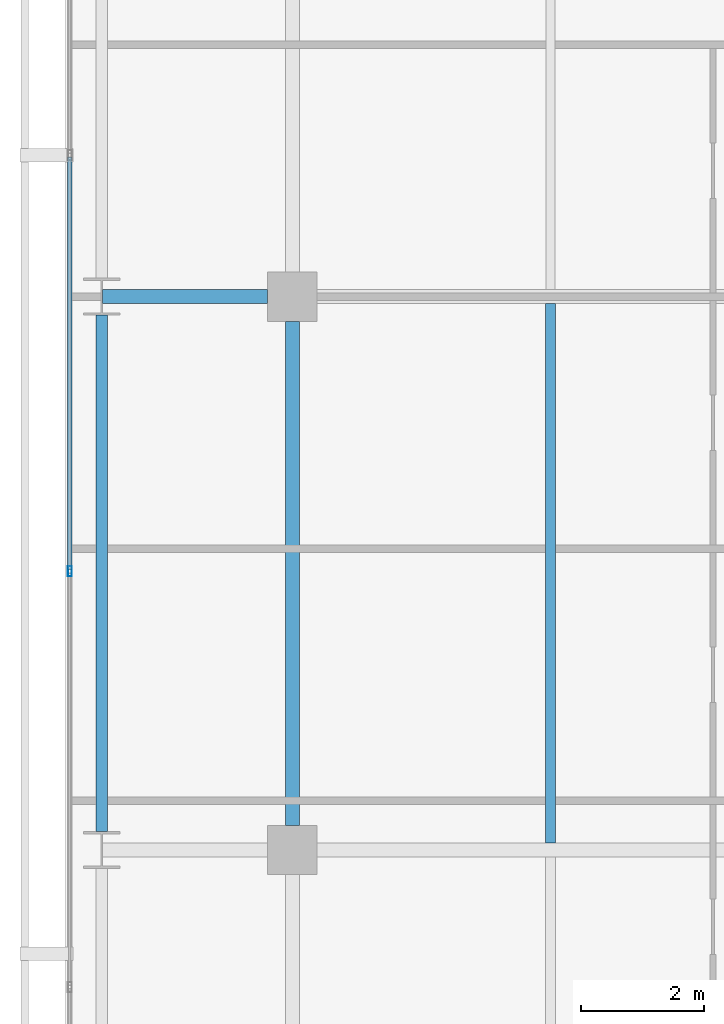
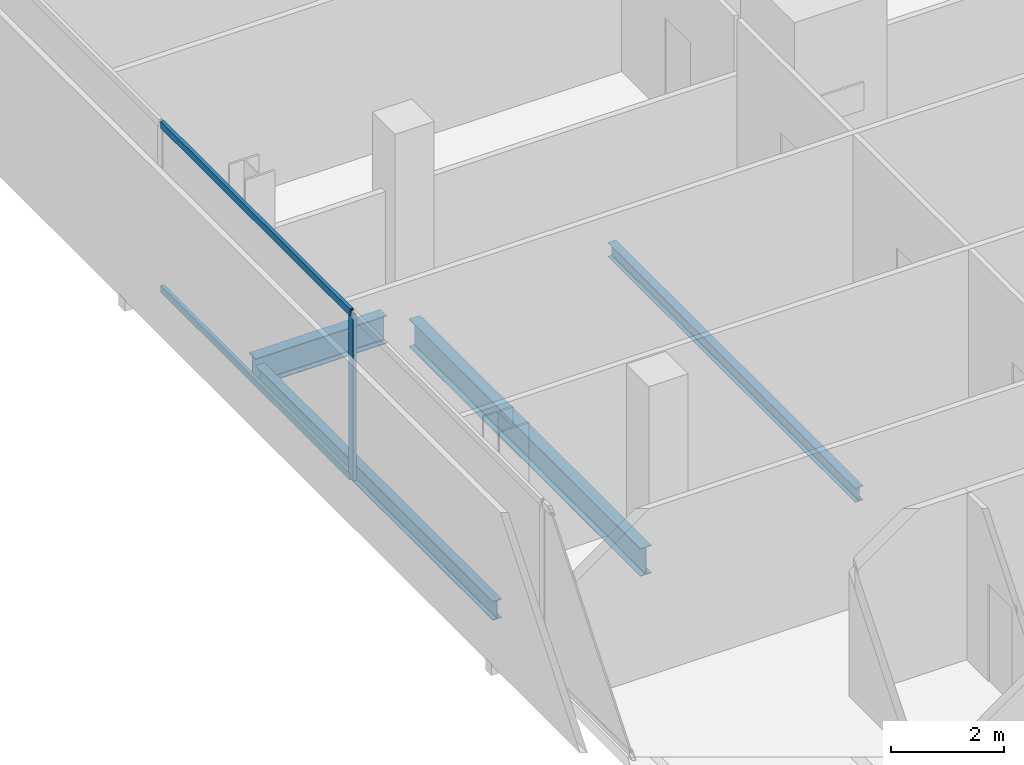
# One storey, part 8 of 34: 4 beams, 3 members, 1 element without a shape of its own.
"""IFC4 building model written with IfcOpenShell, lengths in metres."""

from ifc_helpers import new_model, si_unit, direction, frame, origin, origin_2d, place, context, subcontext, project, spatial, hollow_rectangle, i_section, extrude, material, layer, layer_set, material_profile, profile_set, type_object, element, aggregate, save


model = new_model("IFC4")

# Units and contexts
model_context = context("Model", 3, precision=1e-05, world=origin(), true_north=direction((0.0, 1.0)))
body_context = subcontext(model_context, "Body", "Model", "MODEL_VIEW")
ifc_project = project(units=[si_unit("LENGTHUNIT", "METRE"), si_unit("AREAUNIT", "SQUARE_METRE"), si_unit("VOLUMEUNIT", "CUBIC_METRE"), si_unit("PLANEANGLEUNIT", "RADIAN"), si_unit("MASSUNIT", "GRAM", prefix="KILO")], contexts=[model_context])

# Site, building, storey
site_placement = place(None, origin())
site = spatial("IfcSite", under=ifc_project, at=site_placement, CompositionType="ELEMENT")
building_placement = place(site_placement, origin())
building = spatial("IfcBuilding", under=site, at=building_placement, Name="Maruvema Waterfront Hotel and Observation Tower", CompositionType="ELEMENT")
storey_placement = place(building_placement, frame((0.0, 0.0, 177.449951171875)))
storey = spatial("IfcBuildingStorey", under=building, at=storey_placement, Name="L43", CompositionType="ELEMENT", Elevation=177.449951171875)

# Curtain wall, members
ifc_material_1 = material(Name="Anodised bronze aluminium and solar-control low-E IGU", Category="aluminium")
ifc_layer = layer(ifc_material_1, 0.159912109375, Name="Zone 2 Amber Inner Thermal Curtain Wall System CW-03")
ifc_layer_set = layer_set([ifc_layer], Name="Anodised bronze aluminium and solar-control low-E IGU")
curtain_wall_type = type_object("IfcCurtainWallType", Name="Zone 2 Amber Inner Thermal Curtain Wall System CW-03", PredefinedType="USERDEFINED", material=ifc_layer_set)
curtain_wall_placement = place(storey_placement, origin())
curtain_wall = element("IfcCurtainWall", 1, at=curtain_wall_placement, inside=storey, type_object=curtain_wall_type, Name="L43 Curtain Wall CW-L43-W", ObjectType="UNITISED CURTAIN WALL", PredefinedType="USERDEFINED")
ifc_material_2 = material(Name="Anodised architectural bronze aluminium", Category="aluminium")
ifc_material_profile_1 = material_profile(ifc_material_2, hollow_rectangle(XDim=0.070068359375, YDim=0.14990234375, WallThickness=0.00390625, at=origin_2d()), Name="ALU-T70x150")
ifc_profile_set_1 = profile_set([ifc_material_profile_1], Name="Anodised architectural bronze aluminium")
member_type_1 = type_object("IfcMemberType", Name="Curtain Wall Horizontal Transom ALU-T70x150", PredefinedType="USERDEFINED", material=ifc_profile_set_1)
member_1_placement = place(storey_placement, frame((13.179931640625, 29.27001953125, 0.030029296875), z_axis=(0.0, -1.0, 0.0), x_axis=(1.0, 0.0, 0.0)))
member_1 = element("IfcMember", 2, at=member_1_placement, type_object=member_type_1, Name="CW-03 transom 4.1", ObjectType="TRANSOM", PredefinedType="USERDEFINED", context=body_context, shape_type="SweptSolid", body=[
    extrude(hollow_rectangle(XDim=0.070068359375, YDim=0.14990234375, WallThickness=0.00390625, at=origin_2d()), origin(), (0.0, 0.0, 1.0), 6.706787109375),
])
member_2_placement = place(storey_placement, frame((13.179931640625, 29.27001953125, 3.580078125), z_axis=(0.0, -1.0, 0.0), x_axis=(1.0, 0.0, 0.0)))
member_2 = element("IfcMember", 3, at=member_2_placement, type_object=member_type_1, Name="CW-03 transom 4.2", ObjectType="TRANSOM", PredefinedType="USERDEFINED", context=body_context, shape_type="SweptSolid", body=[
    extrude(hollow_rectangle(XDim=0.070068359375, YDim=0.14990234375, WallThickness=0.00390625, at=origin_2d()), origin(), (0.0, 0.0, 1.0), 6.706787109375),
])
ifc_material_3 = material(Name="Anodised architectural bronze aluminium", Category="aluminium")
ifc_material_profile_2 = material_profile(ifc_material_3, hollow_rectangle(XDim=0.06494140625, YDim=0.1650390625, WallThickness=0.00390625, at=origin_2d()), Name="ALU-M65x165")
ifc_profile_set_2 = profile_set([ifc_material_profile_2], Name="Anodised architectural bronze aluminium")
member_type_2 = type_object("IfcMemberType", Name="Curtain Wall Primary Mullion ALU-M65x165", PredefinedType="MULLION", material=ifc_profile_set_2)
member_3_placement = place(storey_placement, frame((13.179931640625, 22.533447265625, 0.0), z_axis=(0.0, 0.0, 1.0), x_axis=(1.0, 0.0, 0.0)))
member_3 = element("IfcMember", 4, at=member_3_placement, type_object=member_type_2, Name="CW-03 mullion 5", PredefinedType="MULLION", context=body_context, shape_type="SweptSolid", body=[
    extrude(hollow_rectangle(XDim=0.06494140625, YDim=0.1650390625, WallThickness=0.00390625, at=origin_2d()), origin(), (0.0, 0.0, 1.0), 3.610107421875),
])
aggregate(curtain_wall, [member_3, member_1, member_2])

# Beams
ifc_material_4 = material(Name="Steel ASTM A572 Grade 50", Category="steel")
ifc_material_profile_3 = material_profile(ifc_material_4, i_section(OverallWidth=0.180908203125, OverallDepth=0.4169921875, WebThickness=0.010986328125, FlangeThickness=0.018310546875, FilletRadius=0.014892578125, at=origin_2d()), Name="W410x85.0")
ifc_profile_set_3 = profile_set([ifc_material_profile_3], Name="Steel ASTM A572 Grade 50")
beam_type_1 = type_object("IfcBeamType", Name="Perimeter Spandrel Beam W410x85.0", PredefinedType="SPANDREL", material=ifc_profile_set_3)
beam_1_placement = place(storey_placement, frame((13.699951171875, 18.300048828125, -0.448486328125), z_axis=(0.0, 1.0, 0.0), x_axis=(-1.0, 0.0, 0.0)))
element("IfcBeam", 5, at=beam_1_placement, inside=storey, type_object=beam_type_1, Name="L43 Floor Girder NS-02", PredefinedType="SPANDREL", context=body_context, shape_type="SweptSolid", body=[
    extrude(i_section(OverallWidth=0.180908203125, OverallDepth=0.4169921875, WebThickness=0.010986328125, FlangeThickness=0.018310546875, FilletRadius=0.014892578125, at=origin_2d()), origin(), (0.0, 0.0, 1.0), 8.39990234375),
])
ifc_material_5 = material(Name="Steel ASTM A572 Grade 50", Category="steel")
ifc_material_profile_4 = material_profile(ifc_material_5, i_section(OverallWidth=0.22802734375, OverallDepth=0.60302734375, WebThickness=0.010498046875, FlangeThickness=0.014892578125, FilletRadius=0.01806640625, at=origin_2d()), Name="W610x101.0")
ifc_profile_set_4 = profile_set([ifc_material_profile_4], Name="Steel ASTM A572 Grade 50")
beam_type_2 = type_object("IfcBeamType", Name="Primary Floor Girder W610x101.0", PredefinedType="BEAM", material=ifc_profile_set_4)
beam_2_placement = place(storey_placement, frame((13.71240234375, 27.0, -0.54150390625), z_axis=(1.0, 0.0, 0.0), x_axis=(0.0, 1.0, 0.0)))
element("IfcBeam", 6, at=beam_2_placement, inside=storey, type_object=beam_type_2, Name="L43 Floor Girder EW-18", PredefinedType="BEAM", context=body_context, shape_type="SweptSolid", body=[
    extrude(i_section(OverallWidth=0.22802734375, OverallDepth=0.60302734375, WebThickness=0.010498046875, FlangeThickness=0.014892578125, FilletRadius=0.01806640625, at=origin_2d()), origin(), (0.0, 0.0, 1.0), 2.6875),
])
beam_3_placement = place(storey_placement, frame((16.800048828125, 18.39990234375, -0.54150390625), z_axis=(0.0, 1.0, 0.0), x_axis=(-1.0, 0.0, 0.0)))
element("IfcBeam", 7, at=beam_3_placement, inside=storey, type_object=beam_type_2, Name="L43 Floor Girder NS-06", PredefinedType="BEAM", context=body_context, shape_type="SweptSolid", body=[
    extrude(i_section(OverallWidth=0.22802734375, OverallDepth=0.60302734375, WebThickness=0.010498046875, FlangeThickness=0.014892578125, FilletRadius=0.01806640625, at=origin_2d()), origin(), (0.0, 0.0, 1.0), 8.2001953125),
])
ifc_material_6 = material(Name="Steel ASTM A572 Grade 50", Category="steel")
ifc_material_profile_5 = material_profile(ifc_material_6, i_section(OverallWidth=0.1650390625, OverallDepth=0.31005859375, WebThickness=0.005859375, FlangeThickness=0.009765625, FilletRadius=0.012939453125, at=origin_2d()), Name="W310x38.7")
ifc_profile_set_5 = profile_set([ifc_material_profile_5], Name="Steel ASTM A572 Grade 50")
beam_type_3 = type_object("IfcBeamType", Name="Secondary Floor Joist W310x38.7", PredefinedType="JOIST", material=ifc_profile_set_5)
beam_4_placement = place(storey_placement, frame((21.0, 18.114013671875, -0.39501953125), z_axis=(0.0, 1.0, 0.0), x_axis=(-1.0, 0.0, 0.0)))
element("IfcBeam", 8, at=beam_4_placement, inside=storey, type_object=beam_type_3, Name="L43 Secondary Floor Joist JS-02", PredefinedType="JOIST", context=body_context, shape_type="SweptSolid", body=[
    extrude(i_section(OverallWidth=0.1650390625, OverallDepth=0.31005859375, WebThickness=0.005859375, FlangeThickness=0.009765625, FilletRadius=0.012939453125, at=origin_2d()), origin(), (0.0, 0.0, 1.0), 8.77197265625),
])

save(model, "model.ifc")
